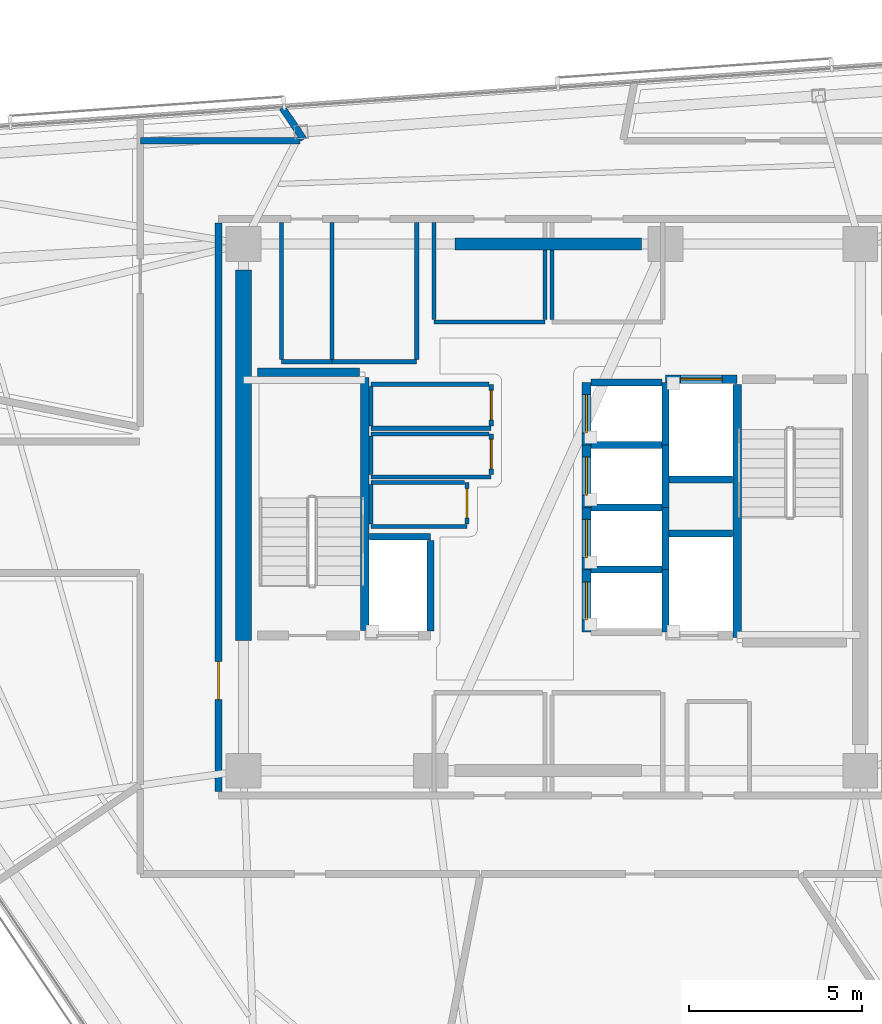
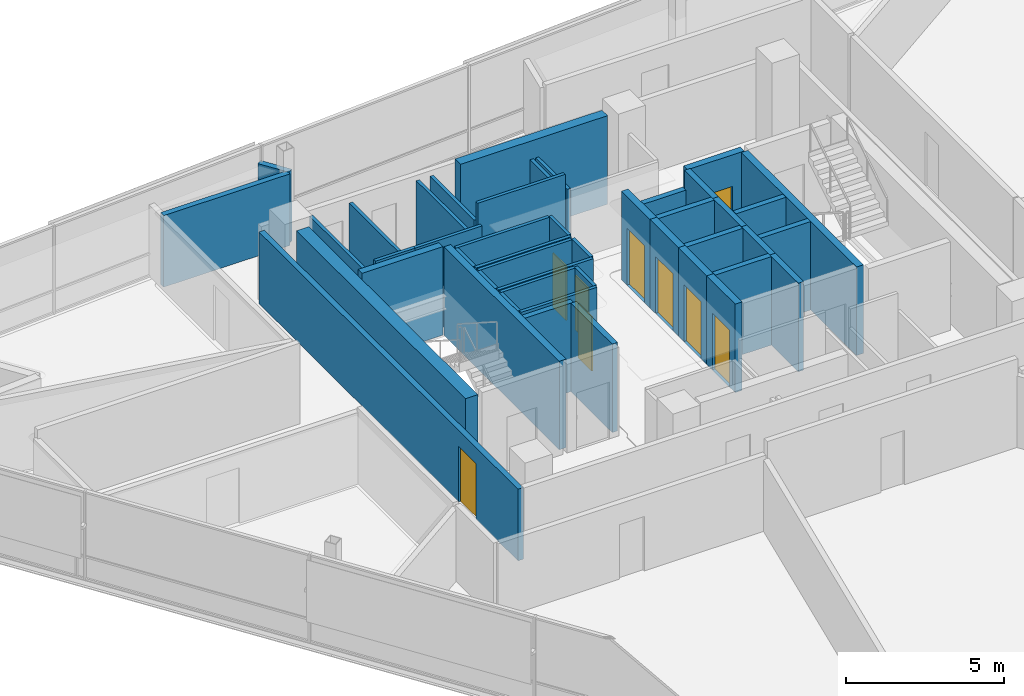
# One storey, part 10 of 16: 46 walls, 9 doors, 9 openings.
"""IFC4 building model written with IfcOpenShell, lengths in metres."""

from ifc_helpers import new_model, si_unit, direction, frame, frame_2d, origin, place, context, subcontext, project, spatial, rectangle, extrude, material, layer, layer_set, type_object, element, fill, save


model = new_model("IFC4")

# Units and contexts
model_context = context("Model", 3, precision=1e-05, world=origin(), true_north=direction((0.0, 1.0)))
body_context = subcontext(model_context, "Body", "Model", "MODEL_VIEW")
ifc_project = project(units=[si_unit("LENGTHUNIT", "METRE"), si_unit("AREAUNIT", "SQUARE_METRE"), si_unit("VOLUMEUNIT", "CUBIC_METRE"), si_unit("PLANEANGLEUNIT", "RADIAN"), si_unit("MASSUNIT", "GRAM", prefix="KILO")], contexts=[model_context])

# Site, building, storey
site_placement = place(None, origin())
site = spatial("IfcSite", under=ifc_project, at=site_placement, CompositionType="ELEMENT")
building_placement = place(site_placement, origin())
building = spatial("IfcBuilding", under=site, at=building_placement, Name="Tharavind Bronze Gate", CompositionType="ELEMENT")
storey_placement = place(building_placement, frame((0.0, 0.0, 264.199951171875)))
storey = spatial("IfcBuildingStorey", under=building, at=storey_placement, Name="L68", CompositionType="ELEMENT", Elevation=264.199951171875)

# Wall, opening, door
ifc_material_1 = material(Name="Aerated Concrete Block", Category="concrete")
ifc_layer_1 = layer(ifc_material_1, 0.199951171875)
ifc_layer_set_1 = layer_set([ifc_layer_1], Name="Aerated Concrete Block")
wall_type_1 = type_object("IfcWallType", Name="FIRE RATED PARTITION 200", PredefinedType="PARTITIONING", material=ifc_layer_set_1)
wall_1_placement = place(storey_placement, frame((-9.6201171875, 8.199951171875, 0.0), z_axis=(0.0, 0.0, 1.0), x_axis=(0.0, -1.0, 0.0)))
wall_1 = element("IfcWall", 1, at=wall_1_placement, inside=storey, type_object=wall_type_1, Name="L68 west core corridor wall", PredefinedType="PARTITIONING", context=body_context, shape_type="SweptSolid", body=[
    extrude(rectangle(XDim=16.39990234375, YDim=0.199951171875, at=frame_2d((8.199951171875, 0.0))), origin(), (0.0, 0.0, 1.0), 2.76513671875),
])
opening_1_placement = place(wall_1_placement, frame((12.64990234375, 0.0, 0.0)))
opening_1 = element("IfcOpeningElement", 2, at=opening_1_placement, cuts=wall_1, Name="Opening ID01", PredefinedType="OPENING", context=body_context, shape_type="SweptSolid", body=[
    extrude(rectangle(XDim=1.10009765625, YDim=2.14990234375, at=frame_2d((0.550048828125, 1.074951171875))), frame((0.0, 0.11009765625, 0.0), z_axis=(0.0, -1.0, 0.0), x_axis=(1.0, 0.0, 0.0)), (0.0, 0.0, 1.0), 0.219951171875),
])
ifc_material_2 = material(Name="Fire-Rated Steel", Category="steel")
door_type_1 = type_object("IfcDoorType", Name="STAIR CORE FIRE DOOR 1100X2150", OperationType="SINGLE_SWING_LEFT", PredefinedType="DOOR", material=ifc_material_2)
door_1_placement = place(opening_1_placement, frame((1.10009765625, 0.0, 0.0), z_axis=(0.0, 0.0, 1.0), x_axis=(-1.0, 0.0, 0.0)))
door_1 = element("IfcDoor", 3, at=door_1_placement, inside=storey, type_object=door_type_1, Name="L68 south west stair lobby fire door", OperationType="SINGLE_SWING_LEFT", OverallHeight=2.14990234375, OverallWidth=1.10009765625, PredefinedType="DOOR", context=body_context, shape_type="SweptSolid", body=[
    extrude(rectangle(XDim=1.10009765625, YDim=2.14990234375, at=frame_2d((0.550048828125, 1.074951171875))), frame((0.0, 0.02490234375, 0.0), z_axis=(0.0, -1.0, 0.0), x_axis=(1.0, 0.0, 0.0)), (0.0, 0.0, 1.0), 0.050048828125),
])
fill(opening_1, door_1)

# Walls
wall_2_placement = place(storey_placement, frame((-7.7802734375, 11.53466796875, 0.0), z_axis=(0.0, 0.0, 1.0), x_axis=(0.559180531027, -0.82904591774, 0.0)))
element("IfcWall", 4, at=wall_2_placement, inside=storey, type_object=wall_type_1, Name="L68 Model Workshop Lab partition", PredefinedType="PARTITIONING", context=body_context, shape_type="SweptSolid", body=[
    extrude(rectangle(XDim=1.1044921875, YDim=0.199951171875, at=frame_2d((0.55224609375, 0.0))), origin(), (0.0, 0.0, 1.0), 2.76513671875),
])
wall_3_placement = place(storey_placement, frame((-7.262939453125, 10.580078125, 0.0), z_axis=(0.0, 0.0, 1.0), x_axis=(-1.0, 0.0, 0.0)))
element("IfcWall", 5, at=wall_3_placement, inside=storey, type_object=wall_type_1, Name="L68 Model Workshop Lab partition", PredefinedType="PARTITIONING", context=body_context, shape_type="SweptSolid", body=[
    extrude(rectangle(XDim=4.616455078125, YDim=0.199951171875, at=frame_2d((2.30810546875, 0.0))), origin(), (0.0, 0.0, 1.0), 2.76513671875),
])
ifc_material_3 = material(Name="Metal Stud Gypsum Partition", Category="gypsum")
ifc_layer_2 = layer(ifc_material_3, 0.1201171875)
ifc_layer_set_2 = layer_set([ifc_layer_2], Name="Metal Stud Gypsum Partition")
wall_type_2 = type_object("IfcWallType", Name="INTERIOR PARTITION WALL 120", PredefinedType="PARTITIONING", material=ifc_layer_set_2)
wall_4_placement = place(storey_placement, frame((-5.219970703125, 2.280029296875, 0.0), z_axis=(0.0, 0.0, 1.0), x_axis=(1.0, 0.0, 0.0)))
element("IfcWall", 6, at=wall_4_placement, inside=storey, type_object=wall_type_2, Name="L68 Housekeeping Linen Store partition 1", PredefinedType="PARTITIONING", context=body_context, shape_type="SweptSolid", body=[
    extrude(rectangle(XDim=3.469970703125, YDim=0.1201171875, at=frame_2d((1.73486328125, 0.0))), origin(), (0.0, 0.0, 1.0), 3.420166015625),
])

# Wall, opening, door
wall_5_placement = place(storey_placement, frame((-1.75, 2.344970703125, 0.0), z_axis=(0.0, 0.0, 1.0), x_axis=(0.0, 1.0, 0.0)))
wall_5 = element("IfcWall", 7, at=wall_5_placement, inside=storey, type_object=wall_type_2, Name="L68 Housekeeping Linen Store partition 2", PredefinedType="PARTITIONING", context=body_context, shape_type="SweptSolid", body=[
    extrude(rectangle(XDim=1.205078125, YDim=0.1201171875, at=frame_2d((0.6025390625, 0.0))), origin(), (0.0, 0.0, 1.0), 3.420166015625),
])
opening_2_placement = place(wall_5_placement, frame((0.177001953125, 0.0, 0.0)))
opening_2 = element("IfcOpeningElement", 8, at=opening_2_placement, cuts=wall_5, Name="Opening ID06", PredefinedType="OPENING", context=body_context, shape_type="SweptSolid", body=[
    extrude(rectangle(XDim=0.85009765625, YDim=2.10009765625, at=frame_2d((0.425048828125, 1.050048828125))), frame((0.0, 0.07005859375, 0.0), z_axis=(0.0, -1.0, 0.0), x_axis=(1.0, 0.0, 0.0)), (0.0, 0.0, 1.0), 0.1401171875),
])
ifc_material_4 = material(Name="Moisture-Resistant Timber", Category="wood")
door_type_2 = type_object("IfcDoorType", Name="BATHROOM PRIVACY DOOR 850X2100", OperationType="SINGLE_SWING_RIGHT", PredefinedType="DOOR", material=ifc_material_4)
door_2_placement = place(opening_2_placement, frame((0.85009765625, 0.0, 0.0), z_axis=(0.0, 0.0, 1.0), x_axis=(-1.0, 0.0, 0.0)))
door_2 = element("IfcDoor", 9, at=door_2_placement, inside=storey, type_object=door_type_2, Name="L68 Housekeeping Linen Store door", OperationType="SINGLE_SWING_RIGHT", OverallHeight=2.10009765625, OverallWidth=0.85009765625, PredefinedType="DOOR", context=body_context, shape_type="SweptSolid", body=[
    extrude(rectangle(XDim=0.85009765625, YDim=2.10009765625, at=frame_2d((0.425048828125, 1.050048828125))), frame((0.0, 0.02490234375, 0.0), z_axis=(0.0, -1.0, 0.0), x_axis=(1.0, 0.0, 0.0)), (0.0, 0.0, 1.0), 0.050048828125),
])
fill(opening_2, door_2)

# Walls
wall_6_placement = place(storey_placement, frame((-1.81494140625, 3.550048828125, 0.0), z_axis=(0.0, 0.0, 1.0), x_axis=(-1.0, 0.0, 0.0)))
element("IfcWall", 10, at=wall_6_placement, inside=storey, type_object=wall_type_2, Name="L68 Housekeeping Linen Store partition 3", PredefinedType="PARTITIONING", context=body_context, shape_type="SweptSolid", body=[
    extrude(rectangle(XDim=3.405029296875, YDim=0.1201171875, at=frame_2d((1.70263671875, 0.0))), origin(), (0.0, 0.0, 1.0), 3.420166015625),
])
wall_7_placement = place(storey_placement, frame((-5.219970703125, 3.485107421875, 0.0), z_axis=(0.0, 0.0, 1.0), x_axis=(0.0, -1.0, 0.0)))
element("IfcWall", 11, at=wall_7_placement, inside=storey, type_object=wall_type_2, Name="L68 Housekeeping Linen Store partition 4", PredefinedType="PARTITIONING", context=body_context, shape_type="SweptSolid", body=[
    extrude(rectangle(XDim=1.14013671875, YDim=0.1201171875, at=frame_2d((0.570068359375, 0.0))), origin(), (0.0, 0.0, 1.0), 3.420166015625),
])
wall_8_placement = place(storey_placement, frame((-5.219970703125, 0.8798828125, 0.0), z_axis=(0.0, 0.0, 1.0), x_axis=(1.0, 0.0, 0.0)))
element("IfcWall", 12, at=wall_8_placement, inside=storey, type_object=wall_type_2, Name="L68 Comms Data Room partition 1", PredefinedType="PARTITIONING", context=body_context, shape_type="SweptSolid", body=[
    extrude(rectangle(XDim=3.469970703125, YDim=0.1201171875, at=frame_2d((1.73486328125, 0.0))), origin(), (0.0, 0.0, 1.0), 3.420166015625),
])

# Wall, opening, door
wall_9_placement = place(storey_placement, frame((-1.75, 0.945068359375, 0.0), z_axis=(0.0, 0.0, 1.0), x_axis=(0.0, 1.0, 0.0)))
wall_9 = element("IfcWall", 13, at=wall_9_placement, inside=storey, type_object=wall_type_2, Name="L68 Comms Data Room partition 2", PredefinedType="PARTITIONING", context=body_context, shape_type="SweptSolid", body=[
    extrude(rectangle(XDim=1.175048828125, YDim=0.1201171875, at=frame_2d((0.58740234375, 0.0))), origin(), (0.0, 0.0, 1.0), 3.420166015625),
])
opening_3_placement = place(wall_9_placement, frame((0.1630859375, 0.0, 0.0)))
opening_3 = element("IfcOpeningElement", 14, at=opening_3_placement, cuts=wall_9, Name="Opening ID06", PredefinedType="OPENING", context=body_context, shape_type="SweptSolid", body=[
    extrude(rectangle(XDim=0.85009765625, YDim=2.10009765625, at=frame_2d((0.425048828125, 1.050048828125))), frame((0.0, 0.07005859375, 0.0), z_axis=(0.0, -1.0, 0.0), x_axis=(1.0, 0.0, 0.0)), (0.0, 0.0, 1.0), 0.1401171875),
])
door_3_placement = place(opening_3_placement, frame((0.85009765625, 0.0, 0.0), z_axis=(0.0, 0.0, 1.0), x_axis=(-1.0, 0.0, 0.0)))
door_3 = element("IfcDoor", 15, at=door_3_placement, inside=storey, type_object=door_type_2, Name="L68 Comms Data Room door", OperationType="SINGLE_SWING_RIGHT", OverallHeight=2.10009765625, OverallWidth=0.85009765625, PredefinedType="DOOR", context=body_context, shape_type="SweptSolid", body=[
    extrude(rectangle(XDim=0.85009765625, YDim=2.10009765625, at=frame_2d((0.425048828125, 1.050048828125))), frame((0.0, 0.02490234375, 0.0), z_axis=(0.0, -1.0, 0.0), x_axis=(1.0, 0.0, 0.0)), (0.0, 0.0, 1.0), 0.050048828125),
])
fill(opening_3, door_3)

# Walls
wall_10_placement = place(storey_placement, frame((-1.81494140625, 2.1201171875, 0.0), z_axis=(0.0, 0.0, 1.0), x_axis=(-1.0, 0.0, 0.0)))
element("IfcWall", 16, at=wall_10_placement, inside=storey, type_object=wall_type_2, Name="L68 Comms Data Room partition 3", PredefinedType="PARTITIONING", context=body_context, shape_type="SweptSolid", body=[
    extrude(rectangle(XDim=3.405029296875, YDim=0.1201171875, at=frame_2d((1.70263671875, 0.0))), origin(), (0.0, 0.0, 1.0), 3.420166015625),
])
wall_11_placement = place(storey_placement, frame((-5.219970703125, 2.054931640625, 0.0), z_axis=(0.0, 0.0, 1.0), x_axis=(0.0, -1.0, 0.0)))
element("IfcWall", 17, at=wall_11_placement, inside=storey, type_object=wall_type_2, Name="L68 Comms Data Room partition 4", PredefinedType="PARTITIONING", context=body_context, shape_type="SweptSolid", body=[
    extrude(rectangle(XDim=1.10986328125, YDim=0.1201171875, at=frame_2d((0.554931640625, 0.0))), origin(), (0.0, 0.0, 1.0), 3.420166015625),
])
wall_12_placement = place(storey_placement, frame((-5.219970703125, -0.550048828125, 0.0), z_axis=(0.0, 0.0, 1.0), x_axis=(1.0, 0.0, 0.0)))
element("IfcWall", 18, at=wall_12_placement, inside=storey, type_object=wall_type_2, Name="L68 Electrical Metering Store partition 1", PredefinedType="PARTITIONING", context=body_context, shape_type="SweptSolid", body=[
    extrude(rectangle(XDim=2.77001953125, YDim=0.1201171875, at=frame_2d((1.385009765625, 0.0))), origin(), (0.0, 0.0, 1.0), 3.420166015625),
])

# Wall, opening, door
wall_13_placement = place(storey_placement, frame((-2.449951171875, -0.485107421875, 0.0), z_axis=(0.0, 0.0, 1.0), x_axis=(0.0, 1.0, 0.0)))
wall_13 = element("IfcWall", 19, at=wall_13_placement, inside=storey, type_object=wall_type_2, Name="L68 Electrical Metering Store partition 2", PredefinedType="PARTITIONING", context=body_context, shape_type="SweptSolid", body=[
    extrude(rectangle(XDim=1.205078125, YDim=0.1201171875, at=frame_2d((0.6025390625, 0.0))), origin(), (0.0, 0.0, 1.0), 3.420166015625),
])
opening_4_placement = place(wall_13_placement, frame((0.177978515625, 0.0, 0.0)))
opening_4 = element("IfcOpeningElement", 20, at=opening_4_placement, cuts=wall_13, Name="Opening ID06", PredefinedType="OPENING", context=body_context, shape_type="SweptSolid", body=[
    extrude(rectangle(XDim=0.85009765625, YDim=2.10009765625, at=frame_2d((0.425048828125, 1.050048828125))), frame((0.0, 0.07005859375, 0.0), z_axis=(0.0, -1.0, 0.0), x_axis=(1.0, 0.0, 0.0)), (0.0, 0.0, 1.0), 0.1401171875),
])
door_4_placement = place(opening_4_placement, frame((0.85009765625, 0.0, 0.0), z_axis=(0.0, 0.0, 1.0), x_axis=(-1.0, 0.0, 0.0)))
door_4 = element("IfcDoor", 21, at=door_4_placement, inside=storey, type_object=door_type_2, Name="L68 Electrical Metering Store door", OperationType="SINGLE_SWING_RIGHT", OverallHeight=2.10009765625, OverallWidth=0.85009765625, PredefinedType="DOOR", context=body_context, shape_type="SweptSolid", body=[
    extrude(rectangle(XDim=0.85009765625, YDim=2.10009765625, at=frame_2d((0.425048828125, 1.050048828125))), frame((0.0, 0.02490234375, 0.0), z_axis=(0.0, -1.0, 0.0), x_axis=(1.0, 0.0, 0.0)), (0.0, 0.0, 1.0), 0.050048828125),
])
fill(opening_4, door_4)

# Walls
wall_14_placement = place(storey_placement, frame((-2.514892578125, 0.719970703125, 0.0), z_axis=(0.0, 0.0, 1.0), x_axis=(-1.0, 0.0, 0.0)))
element("IfcWall", 22, at=wall_14_placement, inside=storey, type_object=wall_type_2, Name="L68 Electrical Metering Store partition 3", PredefinedType="PARTITIONING", context=body_context, shape_type="SweptSolid", body=[
    extrude(rectangle(XDim=2.705078125, YDim=0.1201171875, at=frame_2d((1.3525390625, 0.0))), origin(), (0.0, 0.0, 1.0), 3.420166015625),
])
wall_15_placement = place(storey_placement, frame((-5.219970703125, 0.655029296875, 0.0), z_axis=(0.0, 0.0, 1.0), x_axis=(0.0, -1.0, 0.0)))
element("IfcWall", 23, at=wall_15_placement, inside=storey, type_object=wall_type_2, Name="L68 Electrical Metering Store partition 4", PredefinedType="PARTITIONING", context=body_context, shape_type="SweptSolid", body=[
    extrude(rectangle(XDim=1.14013671875, YDim=0.1201171875, at=frame_2d((0.570068359375, 0.0))), origin(), (0.0, 0.0, 1.0), 3.420166015625),
])
wall_16_placement = place(storey_placement, frame((-3.39990234375, 5.35009765625, 0.0), z_axis=(0.0, 0.0, 1.0), x_axis=(1.0, 0.0, 0.0)))
element("IfcWall", 24, at=wall_16_placement, inside=storey, type_object=wall_type_2, Name="L68 Core Telemetry Room partition 1", PredefinedType="PARTITIONING", context=body_context, shape_type="SweptSolid", body=[
    extrude(rectangle(XDim=3.199951171875, YDim=0.1201171875, at=frame_2d((1.60009765625, 0.0))), origin(), (0.0, 0.0, 1.0), 3.420166015625),
])
wall_17_placement = place(storey_placement, frame((-0.199951171875, 5.4150390625, 0.0), z_axis=(0.0, 0.0, 1.0), x_axis=(0.0, 1.0, 0.0)))
element("IfcWall", 25, at=wall_17_placement, inside=storey, type_object=wall_type_2, Name="L68 Core Telemetry Room partition 2", PredefinedType="PARTITIONING", context=body_context, shape_type="SweptSolid", body=[
    extrude(rectangle(XDim=2.0048828125, YDim=0.1201171875, at=frame_2d((1.00244140625, 0.0))), origin(), (0.0, 0.0, 1.0), 2.715087890625),
])
wall_18_placement = place(storey_placement, frame((-3.39990234375, 8.215087890625, 0.0), z_axis=(0.0, 0.0, 1.0), x_axis=(0.0, -1.0, 0.0)))
element("IfcWall", 26, at=wall_18_placement, inside=storey, type_object=wall_type_2, Name="L68 Core Telemetry Room partition 4", PredefinedType="PARTITIONING", context=body_context, shape_type="SweptSolid", body=[
    extrude(rectangle(XDim=2.800048828125, YDim=0.1201171875, at=frame_2d((1.39990234375, 0.0))), origin(), (0.0, 0.0, 1.0), 2.715087890625),
])
wall_19_placement = place(storey_placement, frame((0.0, 7.419921875, 0.0), z_axis=(0.0, 0.0, 1.0), x_axis=(0.0, -1.0, 0.0)))
element("IfcWall", 27, at=wall_19_placement, inside=storey, type_object=wall_type_2, Name="L68 Core Battery Room partition 4", PredefinedType="PARTITIONING", context=body_context, shape_type="SweptSolid", body=[
    extrude(rectangle(XDim=2.0048828125, YDim=0.1201171875, at=frame_2d((1.00244140625, 0.0))), origin(), (0.0, 0.0, 1.0), 2.715087890625),
])
wall_20_placement = place(storey_placement, frame((-7.800048828125, 4.199951171875, 0.0), z_axis=(0.0, 0.0, 1.0), x_axis=(1.0, 0.0, 0.0)))
element("IfcWall", 28, at=wall_20_placement, inside=storey, type_object=wall_type_2, Name="L68 Battery Backup Cupboard partition 1", PredefinedType="PARTITIONING", context=body_context, shape_type="SweptSolid", body=[
    extrude(rectangle(XDim=1.449951171875, YDim=0.1201171875, at=frame_2d((0.72509765625, 0.0))), origin(), (0.0, 0.0, 1.0), 3.420166015625),
])
for number, where, z_axis, x_axis, name in (
    (29, (-6.35009765625, 4.264892578125, 0.0), (0.0, 0.0, 1.0), (0.0, 1.0, 0.0), "L68 Battery Backup Cupboard partition 2"),
    (30, (-7.800048828125, 8.215087890625, 0.0), (0.0, 0.0, 1.0), (0.0, -1.0, 0.0), "L68 Battery Backup Cupboard partition 4"),
):
    element("IfcWall", number, at=place(storey_placement, frame(where, z_axis=z_axis, x_axis=x_axis)), inside=storey, type_object=wall_type_2, Name=name, PredefinedType="PARTITIONING", context=body_context, shape_type="SweptSolid", body=[
        extrude(rectangle(XDim=3.9501953125, YDim=0.1201171875, at=frame_2d((1.97509765625, 0.0))), origin(), (0.0, 0.0, 1.0), 2.715087890625),
    ])
wall_21_placement = place(storey_placement, frame((-6.35009765625, 4.199951171875, 0.0), z_axis=(0.0, 0.0, 1.0), x_axis=(1.0, 0.0, 0.0)))
element("IfcWall", 31, at=wall_21_placement, inside=storey, type_object=wall_type_2, Name="L68 Cleaner Store Room partition 1", PredefinedType="PARTITIONING", context=body_context, shape_type="SweptSolid", body=[
    extrude(rectangle(XDim=2.4501953125, YDim=0.1201171875, at=frame_2d((1.22509765625, 0.0))), origin(), (0.0, 0.0, 1.0), 3.420166015625),
])
wall_22_placement = place(storey_placement, frame((-3.89990234375, 4.264892578125, 0.0), z_axis=(0.0, 0.0, 1.0), x_axis=(0.0, 1.0, 0.0)))
element("IfcWall", 32, at=wall_22_placement, inside=storey, type_object=wall_type_2, Name="L68 Cleaner Store Room partition 2", PredefinedType="PARTITIONING", context=body_context, shape_type="SweptSolid", body=[
    extrude(rectangle(XDim=3.9501953125, YDim=0.1201171875, at=frame_2d((1.97509765625, 0.0))), origin(), (0.0, 0.0, 1.0), 2.715087890625),
])
ifc_material_5 = material(Name="Concrete C50/60", Category="concrete")
ifc_layer_3 = layer(ifc_material_5, 0.25)
ifc_layer_set_3 = layer_set([ifc_layer_3], Name="Concrete C50/60")
wall_type_3 = type_object("IfcWallType", Name="RC CORE SHEAR WALL 250", PredefinedType="SHEAR", material=ifc_layer_set_3)
wall_23_placement = place(storey_placement, frame((-5.39990234375, -3.550048828125, 0.0), z_axis=(0.0, 0.0, 1.0), x_axis=(0.0, 1.0, 0.0)))
element("IfcWall", 33, at=wall_23_placement, inside=storey, type_object=wall_type_3, Name="L68 ST1 shaft east wall", PredefinedType="SHEAR", context=body_context, shape_type="SweptSolid", body=[
    extrude(rectangle(XDim=7.300048828125, YDim=0.25, at=frame_2d((3.64990234375, 0.0))), origin(), (0.0, 0.0, 1.0), 3.420166015625),
])
wall_24_placement = place(storey_placement, frame((-8.5, 3.89990234375, 0.0), z_axis=(0.0, 0.0, 1.0), x_axis=(1.0, 0.0, 0.0)))
element("IfcWall", 34, at=wall_24_placement, inside=storey, type_object=wall_type_3, Name="L68 ST1 shaft north wall", PredefinedType="SHEAR", context=body_context, shape_type="SweptSolid", body=[
    extrude(rectangle(XDim=2.949951171875, YDim=0.25, at=frame_2d((1.47509765625, 0.0))), origin(), (0.0, 0.0, 1.0), 3.420166015625),
])
wall_25_placement = place(storey_placement, frame((5.35009765625, -3.75, 0.0), z_axis=(0.0, 0.0, 1.0), x_axis=(0.0, 1.0, 0.0)))
element("IfcWall", 35, at=wall_25_placement, inside=storey, type_object=wall_type_3, Name="L68 ST2 shaft west wall", PredefinedType="SHEAR", context=body_context, shape_type="SweptSolid", body=[
    extrude(rectangle(XDim=7.300048828125, YDim=0.25, at=frame_2d((3.64990234375, 0.0))), origin(), (0.0, 0.0, 1.0), 3.420166015625),
])

# Wall, opening, door
wall_26_placement = place(storey_placement, frame((1.0, -3.60009765625, 0.0), z_axis=(0.0, 0.0, 1.0), x_axis=(0.0, 1.0, 0.0)))
wall_26 = element("IfcWall", 36, at=wall_26_placement, inside=storey, type_object=wall_type_3, Name="L68 lift PL9 shaft front wall", PredefinedType="SHEAR", context=body_context, shape_type="SweptSolid", body=[
    extrude(rectangle(XDim=1.800048828125, YDim=0.25, at=frame_2d((0.89990234375, 0.0))), origin(), (0.0, 0.0, 1.0), 3.420166015625),
])
opening_5_placement = place(wall_26_placement, frame((0.35009765625, 0.0, 0.0)))
opening_5 = element("IfcOpeningElement", 37, at=opening_5_placement, cuts=wall_26, Name="Opening LD01", PredefinedType="OPENING", context=body_context, shape_type="SweptSolid", body=[
    extrude(rectangle(XDim=1.10009765625, YDim=2.199951171875, at=frame_2d((0.550048828125, 1.10009765625))), frame((0.0, 0.135, 0.0), z_axis=(0.0, -1.0, 0.0), x_axis=(1.0, 0.0, 0.0)), (0.0, 0.0, 1.0), 0.27),
])
ifc_material_6 = material(Name="Brushed Bronze Stainless Steel", Category="steel")
door_type_3 = type_object("IfcDoorType", Name="LIFT LANDING SLIDING DOOR 1100X2200", OperationType="SLIDING_TO_LEFT", PredefinedType="DOOR", material=ifc_material_6)
door_5_placement = place(opening_5_placement, origin())
door_5 = element("IfcDoor", 38, at=door_5_placement, inside=storey, type_object=door_type_3, Name="L68 lift PL9 sliding landing door", OperationType="SLIDING_TO_LEFT", OverallHeight=2.199951171875, OverallWidth=1.10009765625, PredefinedType="DOOR", context=body_context, shape_type="SweptSolid", body=[
    extrude(rectangle(XDim=1.10009765625, YDim=2.199951171875, at=frame_2d((0.550048828125, 1.10009765625))), frame((0.0, 0.02490234375, 0.0), z_axis=(0.0, -1.0, 0.0), x_axis=(1.0, 0.0, 0.0)), (0.0, 0.0, 1.0), 0.050048828125),
])
fill(opening_5, door_5)

wall_27_placement = place(storey_placement, frame((1.0, -1.800048828125, 0.0), z_axis=(0.0, 0.0, 1.0), x_axis=(0.0, 1.0, 0.0)))
wall_27 = element("IfcWall", 39, at=wall_27_placement, inside=storey, type_object=wall_type_3, Name="L68 lift PL10 shaft front wall", PredefinedType="SHEAR", context=body_context, shape_type="SweptSolid", body=[
    extrude(rectangle(XDim=1.800048828125, YDim=0.25, at=frame_2d((0.89990234375, 0.0))), origin(), (0.0, 0.0, 1.0), 3.420166015625),
])
opening_6_placement = place(wall_27_placement, frame((0.35009765625, 0.0, 0.0)))
opening_6 = element("IfcOpeningElement", 40, at=opening_6_placement, cuts=wall_27, Name="Opening LD01", PredefinedType="OPENING", context=body_context, shape_type="SweptSolid", body=[
    extrude(rectangle(XDim=1.10009765625, YDim=2.199951171875, at=frame_2d((0.550048828125, 1.10009765625))), frame((0.0, 0.135, 0.0), z_axis=(0.0, -1.0, 0.0), x_axis=(1.0, 0.0, 0.0)), (0.0, 0.0, 1.0), 0.27),
])
door_6_placement = place(opening_6_placement, origin())
door_6 = element("IfcDoor", 41, at=door_6_placement, inside=storey, type_object=door_type_3, Name="L68 lift PL10 sliding landing door", OperationType="SLIDING_TO_LEFT", OverallHeight=2.199951171875, OverallWidth=1.10009765625, PredefinedType="DOOR", context=body_context, shape_type="SweptSolid", body=[
    extrude(rectangle(XDim=1.10009765625, YDim=2.199951171875, at=frame_2d((0.550048828125, 1.10009765625))), frame((0.0, 0.02490234375, 0.0), z_axis=(0.0, -1.0, 0.0), x_axis=(1.0, 0.0, 0.0)), (0.0, 0.0, 1.0), 0.050048828125),
])
fill(opening_6, door_6)

wall_28_placement = place(storey_placement, frame((1.0, 0.0, 0.0), z_axis=(0.0, 0.0, 1.0), x_axis=(0.0, 1.0, 0.0)))
wall_28 = element("IfcWall", 42, at=wall_28_placement, inside=storey, type_object=wall_type_3, Name="L68 lift PL11 shaft front wall", PredefinedType="SHEAR", context=body_context, shape_type="SweptSolid", body=[
    extrude(rectangle(XDim=1.800048828125, YDim=0.25, at=frame_2d((0.89990234375, 0.0))), origin(), (0.0, 0.0, 1.0), 3.420166015625),
])
opening_7_placement = place(wall_28_placement, frame((0.35009765625, 0.0, 0.0)))
opening_7 = element("IfcOpeningElement", 43, at=opening_7_placement, cuts=wall_28, Name="Opening LD01", PredefinedType="OPENING", context=body_context, shape_type="SweptSolid", body=[
    extrude(rectangle(XDim=1.10009765625, YDim=2.199951171875, at=frame_2d((0.550048828125, 1.10009765625))), frame((0.0, 0.135, 0.0), z_axis=(0.0, -1.0, 0.0), x_axis=(1.0, 0.0, 0.0)), (0.0, 0.0, 1.0), 0.27),
])
door_7_placement = place(opening_7_placement, origin())
door_7 = element("IfcDoor", 44, at=door_7_placement, inside=storey, type_object=door_type_3, Name="L68 lift PL11 sliding landing door", OperationType="SLIDING_TO_LEFT", OverallHeight=2.199951171875, OverallWidth=1.10009765625, PredefinedType="DOOR", context=body_context, shape_type="SweptSolid", body=[
    extrude(rectangle(XDim=1.10009765625, YDim=2.199951171875, at=frame_2d((0.550048828125, 1.10009765625))), frame((0.0, 0.02490234375, 0.0), z_axis=(0.0, -1.0, 0.0), x_axis=(1.0, 0.0, 0.0)), (0.0, 0.0, 1.0), 0.050048828125),
])
fill(opening_7, door_7)

wall_29_placement = place(storey_placement, frame((1.0, 1.800048828125, 0.0), z_axis=(0.0, 0.0, 1.0), x_axis=(0.0, 1.0, 0.0)))
wall_29 = element("IfcWall", 45, at=wall_29_placement, inside=storey, type_object=wall_type_3, Name="L68 lift PL12 shaft front wall", PredefinedType="SHEAR", context=body_context, shape_type="SweptSolid", body=[
    extrude(rectangle(XDim=1.800048828125, YDim=0.25, at=frame_2d((0.89990234375, 0.0))), origin(), (0.0, 0.0, 1.0), 3.420166015625),
])
opening_8_placement = place(wall_29_placement, frame((0.35009765625, 0.0, 0.0)))
opening_8 = element("IfcOpeningElement", 46, at=opening_8_placement, cuts=wall_29, Name="Opening LD01", PredefinedType="OPENING", context=body_context, shape_type="SweptSolid", body=[
    extrude(rectangle(XDim=1.10009765625, YDim=2.199951171875, at=frame_2d((0.550048828125, 1.10009765625))), frame((0.0, 0.135, 0.0), z_axis=(0.0, -1.0, 0.0), x_axis=(1.0, 0.0, 0.0)), (0.0, 0.0, 1.0), 0.27),
])
door_8_placement = place(opening_8_placement, origin())
door_8 = element("IfcDoor", 47, at=door_8_placement, inside=storey, type_object=door_type_3, Name="L68 lift PL12 sliding landing door", OperationType="SLIDING_TO_LEFT", OverallHeight=2.199951171875, OverallWidth=1.10009765625, PredefinedType="DOOR", context=body_context, shape_type="SweptSolid", body=[
    extrude(rectangle(XDim=1.10009765625, YDim=2.199951171875, at=frame_2d((0.550048828125, 1.10009765625))), frame((0.0, 0.02490234375, 0.0), z_axis=(0.0, -1.0, 0.0), x_axis=(1.0, 0.0, 0.0)), (0.0, 0.0, 1.0), 0.050048828125),
])
fill(opening_8, door_8)

wall_30_placement = place(storey_placement, frame((3.280029296875, 3.699951171875, 0.0), z_axis=(0.0, 0.0, 1.0), x_axis=(1.0, 0.0, 0.0)))
wall_30 = element("IfcWall", 48, at=wall_30_placement, inside=storey, type_object=wall_type_3, Name="L68 lift FFL2 shaft front wall", PredefinedType="SHEAR", context=body_context, shape_type="SweptSolid", body=[
    extrude(rectangle(XDim=2.070068359375, YDim=0.25, at=frame_2d((1.03515625, 0.0))), origin(), (0.0, 0.0, 1.0), 3.420166015625),
])
opening_9_placement = place(wall_30_placement, frame((0.43505859375, 0.0, 0.0)))
opening_9 = element("IfcOpeningElement", 49, at=opening_9_placement, cuts=wall_30, Name="Opening LD02", PredefinedType="OPENING", context=body_context, shape_type="SweptSolid", body=[
    extrude(rectangle(XDim=1.199951171875, YDim=2.199951171875, at=frame_2d((0.60009765625, 1.10009765625))), frame((0.0, 0.135, 0.0), z_axis=(0.0, -1.0, 0.0), x_axis=(1.0, 0.0, 0.0)), (0.0, 0.0, 1.0), 0.27),
])
ifc_material_7 = material(Name="Brushed Stainless Steel", Category="steel")
door_type_4 = type_object("IfcDoorType", Name="FIREFIGHTING LIFT LANDING DOOR 1200X2200", OperationType="SLIDING_TO_RIGHT", PredefinedType="DOOR", material=ifc_material_7)
door_9_placement = place(opening_9_placement, origin())
door_9 = element("IfcDoor", 50, at=door_9_placement, inside=storey, type_object=door_type_4, Name="L68 lift FFL2 sliding landing door", OperationType="SLIDING_TO_RIGHT", OverallHeight=2.199951171875, OverallWidth=1.199951171875, PredefinedType="DOOR", context=body_context, shape_type="SweptSolid", body=[
    extrude(rectangle(XDim=1.199951171875, YDim=2.199951171875, at=frame_2d((0.60009765625, 1.10009765625))), frame((0.0, 0.02490234375, 0.0), z_axis=(0.0, -1.0, 0.0), x_axis=(1.0, 0.0, 0.0)), (0.0, 0.0, 1.0), 0.050048828125),
])
fill(opening_9, door_9)

# Walls
ifc_layer_4 = layer(ifc_material_5, 0.35009765625)
ifc_layer_set_4 = layer_set([ifc_layer_4], Name="Concrete C50/60")
wall_type_4 = type_object("IfcWallType", Name="RC CORE SHEAR WALL 350", PredefinedType="SHEAR", material=ifc_layer_set_4)
wall_31_placement = place(storey_placement, frame((-2.800048828125, 7.60009765625, 0.0), z_axis=(0.0, 0.0, 1.0), x_axis=(1.0, 0.0, 0.0)))
element("IfcWall", 51, at=wall_31_placement, inside=storey, type_object=wall_type_4, Name="L68 north core shear wall", PredefinedType="SHEAR", context=body_context, shape_type="SweptSolid", body=[
    extrude(rectangle(XDim=5.380126953125, YDim=0.35009765625, at=frame_2d((2.68994140625, 0.0))), origin(), (0.0, 0.0, 1.0), 3.420166015625),
])
ifc_material_8 = material(Name="Concrete C60/75", Category="concrete")
ifc_layer_5 = layer(ifc_material_8, 0.449951171875)
ifc_layer_set_5 = layer_set([ifc_layer_5], Name="Concrete C60/75")
wall_type_5 = type_object("IfcWallType", Name="RC CORE SHEAR WALL 450", PredefinedType="SHEAR", material=ifc_layer_set_5)
wall_32_placement = place(storey_placement, frame((-8.89990234375, -3.85009765625, 0.0), z_axis=(0.0, 0.0, 1.0), x_axis=(0.0, 1.0, 0.0)))
element("IfcWall", 52, at=wall_32_placement, inside=storey, type_object=wall_type_5, Name="L68 west core shear wall", PredefinedType="SHEAR", context=body_context, shape_type="SweptSolid", body=[
    extrude(rectangle(XDim=10.7001953125, YDim=0.449951171875, at=frame_2d((5.35009765625, 0.0))), origin(), (0.0, 0.0, 1.0), 3.420166015625),
])
ifc_material_9 = material(Name="Concrete C40/50", Category="concrete")
ifc_layer_6 = layer(ifc_material_9, 0.199951171875)
ifc_layer_set_6 = layer_set([ifc_layer_6], Name="Concrete C40/50")
wall_type_6 = type_object("IfcWallType", Name="SHAFT ENCLOSURE WALL 200", PredefinedType="PARTITIONING", material=ifc_layer_set_6)
wall_33_placement = place(storey_placement, frame((3.280029296875, -3.60009765625, 0.0), z_axis=(0.0, 0.0, 1.0), x_axis=(0.0, 1.0, 0.0)))
element("IfcWall", 53, at=wall_33_placement, inside=storey, type_object=wall_type_6, Name="L68 lift PL9 shaft E enclosure wall", PredefinedType="PARTITIONING", context=body_context, shape_type="SweptSolid", body=[
    extrude(rectangle(XDim=1.800048828125, YDim=0.199951171875, at=frame_2d((0.89990234375, 0.0))), origin(), (0.0, 0.0, 1.0), 3.420166015625),
])
wall_34_placement = place(storey_placement, frame((1.1298828125, -1.800048828125, 0.0), z_axis=(0.0, 0.0, 1.0), x_axis=(1.0, 0.0, 0.0)))
element("IfcWall", 54, at=wall_34_placement, inside=storey, type_object=wall_type_6, Name="L68 lift PL9 shaft N enclosure wall", PredefinedType="PARTITIONING", context=body_context, shape_type="SweptSolid", body=[
    extrude(rectangle(XDim=2.045166015625, YDim=0.199951171875, at=frame_2d((1.0224609375, 0.0))), origin(), (0.0, 0.0, 1.0), 3.420166015625),
])
wall_35_placement = place(storey_placement, frame((3.280029296875, -1.800048828125, 0.0), z_axis=(0.0, 0.0, 1.0), x_axis=(0.0, 1.0, 0.0)))
element("IfcWall", 55, at=wall_35_placement, inside=storey, type_object=wall_type_6, Name="L68 lift PL10 shaft E enclosure wall", PredefinedType="PARTITIONING", context=body_context, shape_type="SweptSolid", body=[
    extrude(rectangle(XDim=1.800048828125, YDim=0.199951171875, at=frame_2d((0.89990234375, 0.0))), origin(), (0.0, 0.0, 1.0), 3.420166015625),
])
wall_36_placement = place(storey_placement, frame((1.1298828125, 0.0, 0.0), z_axis=(0.0, 0.0, 1.0), x_axis=(1.0, 0.0, 0.0)))
element("IfcWall", 56, at=wall_36_placement, inside=storey, type_object=wall_type_6, Name="L68 lift PL10 shaft N enclosure wall", PredefinedType="PARTITIONING", context=body_context, shape_type="SweptSolid", body=[
    extrude(rectangle(XDim=2.045166015625, YDim=0.199951171875, at=frame_2d((1.0224609375, 0.0))), origin(), (0.0, 0.0, 1.0), 3.420166015625),
])
wall_37_placement = place(storey_placement, frame((3.280029296875, 0.0, 0.0), z_axis=(0.0, 0.0, 1.0), x_axis=(0.0, 1.0, 0.0)))
element("IfcWall", 57, at=wall_37_placement, inside=storey, type_object=wall_type_6, Name="L68 lift PL11 shaft E enclosure wall", PredefinedType="PARTITIONING", context=body_context, shape_type="SweptSolid", body=[
    extrude(rectangle(XDim=1.800048828125, YDim=0.199951171875, at=frame_2d((0.89990234375, 0.0))), origin(), (0.0, 0.0, 1.0), 3.420166015625),
])
wall_38_placement = place(storey_placement, frame((1.1298828125, 1.800048828125, 0.0), z_axis=(0.0, 0.0, 1.0), x_axis=(1.0, 0.0, 0.0)))
element("IfcWall", 58, at=wall_38_placement, inside=storey, type_object=wall_type_6, Name="L68 lift PL11 shaft N enclosure wall", PredefinedType="PARTITIONING", context=body_context, shape_type="SweptSolid", body=[
    extrude(rectangle(XDim=2.045166015625, YDim=0.199951171875, at=frame_2d((1.0224609375, 0.0))), origin(), (0.0, 0.0, 1.0), 3.420166015625),
])
wall_39_placement = place(storey_placement, frame((3.280029296875, 1.800048828125, 0.0), z_axis=(0.0, 0.0, 1.0), x_axis=(0.0, 1.0, 0.0)))
element("IfcWall", 59, at=wall_39_placement, inside=storey, type_object=wall_type_6, Name="L68 lift PL12 shaft E enclosure wall", PredefinedType="PARTITIONING", context=body_context, shape_type="SweptSolid", body=[
    extrude(rectangle(XDim=1.800048828125, YDim=0.199951171875, at=frame_2d((0.89990234375, 0.0))), origin(), (0.0, 0.0, 1.0), 3.420166015625),
])
wall_40_placement = place(storey_placement, frame((1.1298828125, 3.60009765625, 0.0), z_axis=(0.0, 0.0, 1.0), x_axis=(1.0, 0.0, 0.0)))
element("IfcWall", 60, at=wall_40_placement, inside=storey, type_object=wall_type_6, Name="L68 lift PL12 shaft N enclosure wall", PredefinedType="PARTITIONING", context=body_context, shape_type="SweptSolid", body=[
    extrude(rectangle(XDim=2.045166015625, YDim=0.199951171875, at=frame_2d((1.0224609375, 0.0))), origin(), (0.0, 0.0, 1.0), 2.715087890625),
])
wall_41_placement = place(storey_placement, frame((-5.27001953125, -0.85009765625, 0.0), z_axis=(0.0, 0.0, 1.0), x_axis=(1.0, 0.0, 0.0)))
element("IfcWall", 61, at=wall_41_placement, inside=storey, type_object=wall_type_6, Name="L68 lift FFL1 shaft N enclosure wall", PredefinedType="PARTITIONING", context=body_context, shape_type="SweptSolid", body=[
    extrude(rectangle(XDim=1.77001953125, YDim=0.199951171875, at=frame_2d((0.885009765625, 0.0))), origin(), (0.0, 0.0, 1.0), 3.420166015625),
])
wall_42_placement = place(storey_placement, frame((-3.5, -3.570068359375, 0.0), z_axis=(0.0, 0.0, 1.0), x_axis=(0.0, 1.0, 0.0)))
element("IfcWall", 62, at=wall_42_placement, inside=storey, type_object=wall_type_6, Name="L68 lift FFL1 shaft E enclosure wall", PredefinedType="PARTITIONING", context=body_context, shape_type="SweptSolid", body=[
    extrude(rectangle(XDim=2.614990234375, YDim=0.199951171875, at=frame_2d((1.3076171875, 0.0))), origin(), (0.0, 0.0, 1.0), 3.420166015625),
])
for number, where, z_axis, x_axis, name in (
    (63, (3.385009765625, 0.800048828125, 0.0), (0.0, 0.0, 1.0), (1.0, 0.0, 0.0), "L68 lift FFL2 shaft S enclosure wall"),
    (64, (3.385009765625, -0.75, 0.0), (0.0, 0.0, 1.0), (1.0, 0.0, 0.0), "L68 lift SVL1 shaft N enclosure wall"),
):
    element("IfcWall", number, at=place(storey_placement, frame(where, z_axis=z_axis, x_axis=x_axis)), inside=storey, type_object=wall_type_6, Name=name, PredefinedType="PARTITIONING", context=body_context, shape_type="SweptSolid", body=[
        extrude(rectangle(XDim=1.8349609375, YDim=0.199951171875, at=frame_2d((0.91748046875, 0.0))), origin(), (0.0, 0.0, 1.0), 3.420166015625),
    ])

save(model, "model.ifc")
